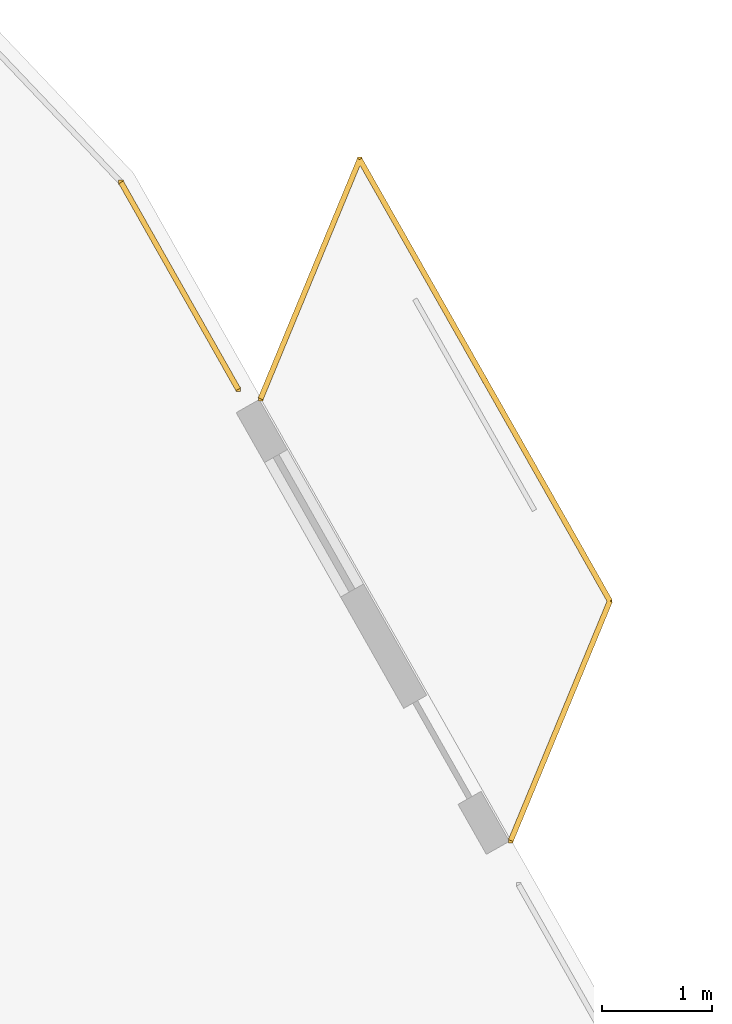
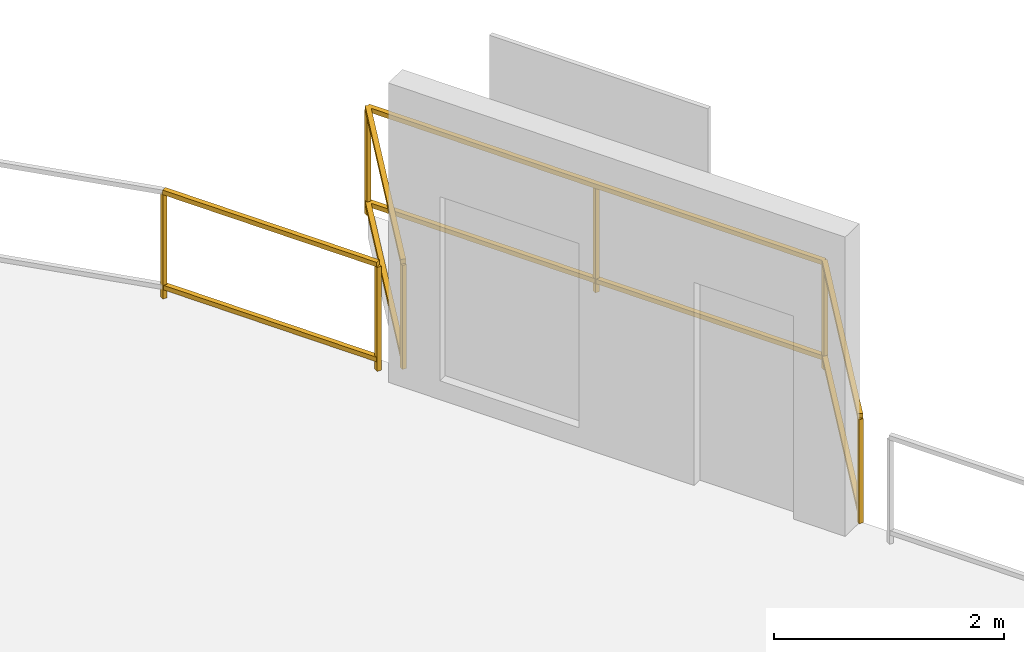
# One storey, part 31 of 31: 2 railings.
"""IFC4 building model written with IfcOpenShell, lengths in metres."""

from ifc_helpers import new_model, si_unit, direction, frame, origin, origin_2d, place, context, subcontext, project, spatial, rectangle, extrude, material, type_object, element, save


model = new_model("IFC4")

# Units and contexts
model_context = context("Model", 3, precision=1e-05, world=origin(), true_north=direction((0.0, 1.0)))
body_context = subcontext(model_context, "Body", "Model", "MODEL_VIEW")
ifc_project = project(units=[si_unit("LENGTHUNIT", "METRE"), si_unit("AREAUNIT", "SQUARE_METRE"), si_unit("VOLUMEUNIT", "CUBIC_METRE"), si_unit("PLANEANGLEUNIT", "RADIAN"), si_unit("MASSUNIT", "GRAM", prefix="KILO")], contexts=[model_context])

# Site, building, storey
site_placement = place(None, origin())
site = spatial("IfcSite", under=ifc_project, at=site_placement, CompositionType="ELEMENT")
building_placement = place(site_placement, origin())
building = spatial("IfcBuilding", under=site, at=building_placement, Name="Qarnah Convention Tower", CompositionType="ELEMENT")
storey_placement = place(building_placement, frame((0.0, 0.0, 64.949951171875)))
storey = spatial("IfcBuildingStorey", under=building, at=storey_placement, Name="L16", CompositionType="ELEMENT", Elevation=64.949951171875)

# Railings
ifc_material = material(Name="Black anodised aluminium", Category="aluminium")
railing_type = type_object("IfcRailingType", Name="RL-EXT-GUARD-1150", PredefinedType="GUARDRAIL", material=ifc_material)
railing_1_placement = place(storey_placement, frame((57.72412109375, 42.35400390625, 0.0)))
element("IfcRailing", 1, at=railing_1_placement, inside=storey, type_object=railing_type, Name="L16 slab-edge perimeter safety guard 01", PredefinedType="GUARDRAIL", context=body_context, shape_type="SweptSolid", body=[
    extrude(rectangle(XDim=0.048095703125, YDim=0.048095703125, at=origin_2d()), frame((0.0, 0.0, 1.1259765625), z_axis=(0.49236686045, -0.870387772623, 0.0), x_axis=(0.870387772623, 0.49236686045, 0.0)), (0.0, 0.0, 1.0), 2.156494140625),
    extrude(rectangle(XDim=0.048095703125, YDim=0.048095703125, at=origin_2d()), frame((0.0, 0.0, 0.1201171875), z_axis=(0.49236686045, -0.870387772623, 0.0), x_axis=(0.870387772623, 0.49236686045, 0.0)), (0.0, 0.0, 1.0), 2.156494140625),
    extrude(rectangle(XDim=0.0419921875, YDim=0.0419921875, at=origin_2d()), origin(), (0.0, 0.0, 1.0), 1.101806640625),
    extrude(rectangle(XDim=0.0419921875, YDim=0.0419921875, at=origin_2d()), frame((1.061767578125, -1.876953125, 0.0)), (0.0, 0.0, 1.0), 1.101806640625),
])
railing_2_placement = place(storey_placement, frame((58.989013671875, 40.39208984375, 0.0)))
element("IfcRailing", 2, at=railing_2_placement, inside=storey, type_object=railing_type, Name="L16 balcony safety guard BAL-L16-C1", PredefinedType="GUARDRAIL", context=body_context, shape_type="SweptSolid", body=[
    extrude(rectangle(XDim=0.048095703125, YDim=0.048095703125, at=origin_2d()), frame((0.0, 0.0, 1.1259765625), z_axis=(0.382517132986, 0.923948398436, 0.0), x_axis=(-0.923948398436, 0.382517132986, 0.0)), (0.0, 0.0, 1.0), 2.347412109375),
    extrude(rectangle(XDim=0.048095703125, YDim=0.048095703125, at=origin_2d()), frame((0.0, 0.0, 0.1201171875), z_axis=(0.382517132986, 0.923948398436, 0.0), x_axis=(-0.923948398436, 0.382517132986, 0.0)), (0.0, 0.0, 1.0), 2.347412109375),
    extrude(rectangle(XDim=0.048095703125, YDim=0.048095703125, at=origin_2d()), frame((0.89794921875, 2.1689453125, 1.1259765625), z_axis=(0.492900068801, -0.870085928041, 0.0), x_axis=(0.870085928041, 0.492900068801, 0.0)), (0.0, 0.0, 1.0), 4.599609375),
    extrude(rectangle(XDim=0.048095703125, YDim=0.048095703125, at=origin_2d()), frame((0.89794921875, 2.1689453125, 0.1201171875), z_axis=(0.492900068801, -0.870085928041, 0.0), x_axis=(0.870085928041, 0.492900068801, 0.0)), (0.0, 0.0, 1.0), 4.599609375),
    extrude(rectangle(XDim=0.048095703125, YDim=0.048095703125, at=origin_2d()), frame((3.1650390625, -1.8330078125, 1.1259765625), z_axis=(-0.382333429654, -0.924024430721, 0.0), x_axis=(0.924024430721, -0.382333429654, 0.0)), (0.0, 0.0, 1.0), 2.3486328125),
    extrude(rectangle(XDim=0.048095703125, YDim=0.048095703125, at=origin_2d()), frame((3.1650390625, -1.8330078125, 0.1201171875), z_axis=(-0.382333429654, -0.924024430721, 0.0), x_axis=(0.924024430721, -0.382333429654, 0.0)), (0.0, 0.0, 1.0), 2.3486328125),
    extrude(rectangle(XDim=0.0419921875, YDim=0.0419921875, at=origin_2d()), origin(), (0.0, 0.0, 1.0), 1.101806640625),
    extrude(rectangle(XDim=0.0419921875, YDim=0.0419921875, at=origin_2d()), frame((0.89794921875, 2.1689453125, 0.0)), (0.0, 0.0, 1.0), 1.101806640625),
    extrude(rectangle(XDim=0.0419921875, YDim=0.0419921875, at=origin_2d()), frame((2.031494140625, 0.16796875, 0.0)), (0.0, 0.0, 1.0), 1.101806640625),
    extrude(rectangle(XDim=0.0419921875, YDim=0.0419921875, at=origin_2d()), frame((3.1650390625, -1.8330078125, 0.0)), (0.0, 0.0, 1.0), 1.101806640625),
    extrude(rectangle(XDim=0.0419921875, YDim=0.0419921875, at=origin_2d()), frame((2.26708984375, -4.003173828125, 0.0)), (0.0, 0.0, 1.0), 1.101806640625),
])

save(model, "model.ifc")
